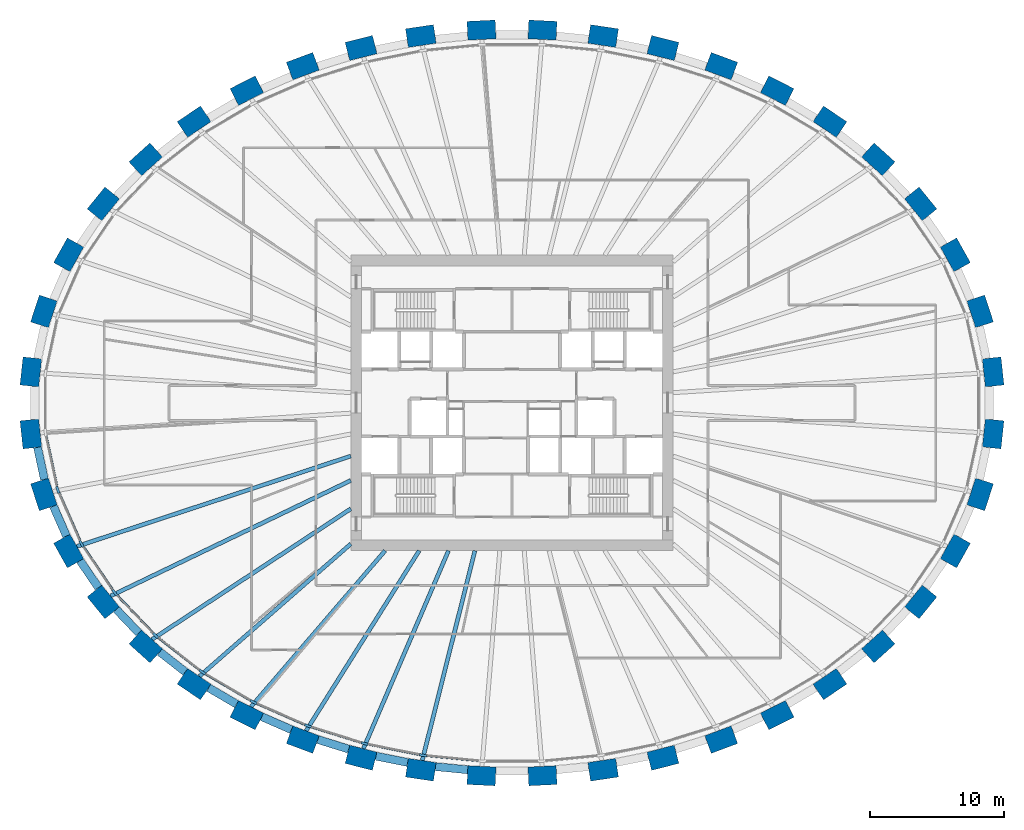
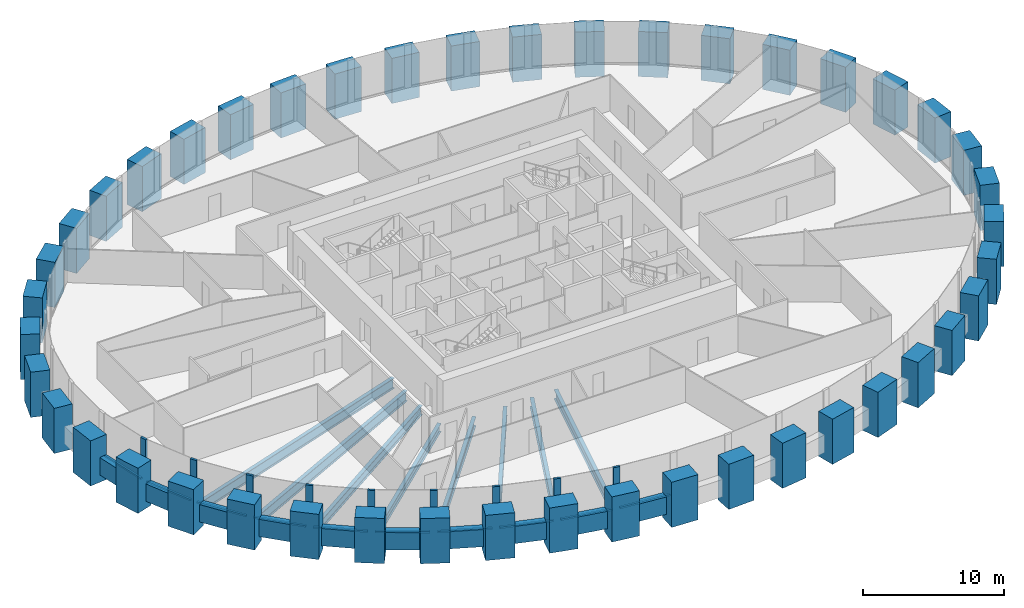
# One storey, part 1 of 11: 44 columns, 19 members, 18 beams, 1 element without a shape of its own.
"""IFC4 building model written with IfcOpenShell, lengths in metres."""

from ifc_helpers import new_model, si_unit, direction, frame, origin, origin_2d, place, context, subcontext, project, spatial, rectangle, i_section, extrude, source, transform, mapped, material, material_profile, profile_set, type_object, element, aggregate, save


model = new_model("IFC4")

# Units and contexts
model_context = context("Model", 3, precision=1e-05, world=origin(), true_north=direction((0.0, 1.0)))
body_context = subcontext(model_context, "Body", "Model", "MODEL_VIEW")
ifc_project = project(units=[si_unit("LENGTHUNIT", "METRE"), si_unit("AREAUNIT", "SQUARE_METRE"), si_unit("VOLUMEUNIT", "CUBIC_METRE"), si_unit("PLANEANGLEUNIT", "RADIAN"), si_unit("MASSUNIT", "GRAM", prefix="KILO")], contexts=[model_context])

# Site, building, storey
site_placement = place(None, origin())
site = spatial("IfcSite", under=ifc_project, at=site_placement, CompositionType="ELEMENT")
building_placement = place(site_placement, origin())
building = spatial("IfcBuilding", under=site, at=building_placement, Name="Embergate Tower", CompositionType="ELEMENT")
storey_placement = place(building_placement, frame((0.0, 0.0, 203.39990234375)))
storey = spatial("IfcBuildingStorey", under=building, at=storey_placement, Name="L46", CompositionType="ELEMENT", Elevation=203.39990234375)

# Columns
ifc_material_1 = material(Name="Concrete C60", Category="concrete")
ifc_material_profile_1 = material_profile(ifc_material_1, rectangle(XDim=1.39990234375, YDim=2.10009765625, at=origin_2d()), Name="RC 1400x2100")
ifc_profile_set_1 = profile_set([ifc_material_profile_1], Name="Concrete C60")
column_type = type_object("IfcColumnType", Name="Ring column RC 1400x2100 C60", PredefinedType="COLUMN", material=ifc_profile_set_1)
shared_shape_1 = source(origin(), body_context, "Body", "SweptSolid", [
    extrude(rectangle(XDim=1.39990234375, YDim=2.10009765625, at=origin_2d()), origin(), (0.0, 0.0, 1.0), 3.89990234375),
])
for number, where, z_axis, x_axis, name in (
    (1, (35.818115234375, 2.305908203125, -1.39990234375), (0.0, 0.0, 1.0), (0.994287757967, 0.106732630237, 0.0), "COL-L46-00"),
    (2, (34.84912109375, 6.81103515625, -1.39990234375), (0.0, 0.0, 1.0), (0.950754033697, 0.309946394413, 0.0), "COL-L46-01"),
    (3, (33.001953125, 11.02294921875, -1.39990234375), (0.0, 0.0, 1.0), (0.873500465855, 0.486823311018, 0.0), "COL-L46-02"),
    (4, (30.423095703125, 14.81591796875, -1.39990234375), (0.0, 0.0, 1.0), (0.775925311702, 0.630824786022, 0.0), "COL-L46-03"),
    (5, (27.26611328125, 18.126953125, -1.39990234375), (0.0, 0.0, 1.0), (0.669221393633, 0.743063070206, 0.0), "COL-L46-04"),
    (6, (23.66796875, 20.93603515625, -1.39990234375), (0.0, 0.0, 1.0), (0.560407734638, 0.828216862275, 0.0), "COL-L46-05"),
    (7, (19.741943359375, 23.243896484375, -1.39990234375), (0.0, 0.0, 1.0), (0.453010512651, 0.891505174089, 0.0), "COL-L46-06"),
    (8, (15.573974609375, 25.06689453125, -1.39990234375), (0.0, 0.0, 1.0), (0.348359375814, 0.937361053854, 0.0), "COL-L46-07"),
    (9, (11.236083984375, 26.41796875, -1.39990234375), (0.0, 0.0, 1.0), (0.24650851817, 0.969140624713, 0.0), "COL-L46-08"),
    (10, (6.784912109375, 27.31103515625, -1.39990234375), (0.0, 0.0, 1.0), (0.146929011949, 0.989147039346, 0.0), "COL-L46-09"),
    (11, (2.26904296875, 27.7548828125, -1.39990234375), (0.0, 0.0, 1.0), (0.048814904854, 0.998807841912, 0.0), "COL-L46-10"),
    (12, (-2.26904296875, 27.7548828125, -1.39990234375), (0.0, 0.0, 1.0), (-0.048814904854, 0.998807841912, 0.0), "COL-L46-11"),
    (13, (-6.784912109375, 27.31103515625, -1.39990234375), (0.0, 0.0, 1.0), (-0.146929011949, 0.989147039346, 0.0), "COL-L46-12"),
    (14, (-11.236083984375, 26.41796875, -1.39990234375), (0.0, 0.0, 1.0), (-0.24650851817, 0.969140624713, 0.0), "COL-L46-13"),
    (15, (-15.573974609375, 25.06689453125, -1.39990234375), (0.0, 0.0, 1.0), (-0.348359375814, 0.937361053854, 0.0), "COL-L46-14"),
    (16, (-19.741943359375, 23.243896484375, -1.39990234375), (0.0, 0.0, 1.0), (-0.453010512651, 0.891505174089, 0.0), "COL-L46-15"),
    (17, (-23.66796875, 20.93603515625, -1.39990234375), (0.0, 0.0, 1.0), (-0.560407734638, 0.828216862275, 0.0), "COL-L46-16"),
    (18, (-27.26611328125, 18.126953125, -1.39990234375), (0.0, 0.0, 1.0), (-0.669221393633, 0.743063070206, 0.0), "COL-L46-17"),
    (19, (-30.423095703125, 14.81591796875, -1.39990234375), (0.0, 0.0, 1.0), (-0.775925311702, 0.630824786022, 0.0), "COL-L46-18"),
    (20, (-33.001953125, 11.02294921875, -1.39990234375), (0.0, 0.0, 1.0), (-0.873500465855, 0.486823311018, 0.0), "COL-L46-19"),
    (21, (-34.84912109375, 6.81103515625, -1.39990234375), (0.0, 0.0, 1.0), (-0.950754033697, 0.309946394413, 0.0), "COL-L46-20"),
    (22, (-35.818115234375, 2.305908203125, -1.39990234375), (0.0, 0.0, 1.0), (-0.994287757967, 0.106732630237, 0.0), "COL-L46-21"),
    (23, (-35.818115234375, -2.305908203125, -1.39990234375), (0.0, 0.0, 1.0), (-0.994287757967, -0.106732630237, 0.0), "COL-L46-22"),
    (24, (-34.84912109375, -6.81103515625, -1.39990234375), (0.0, 0.0, 1.0), (-0.950754033697, -0.309946394413, 0.0), "COL-L46-23"),
    (25, (-33.001953125, -11.02294921875, -1.39990234375), (0.0, 0.0, 1.0), (-0.873500465855, -0.486823311018, 0.0), "COL-L46-24"),
    (26, (-30.423095703125, -14.81591796875, -1.39990234375), (0.0, 0.0, 1.0), (-0.775925311702, -0.630824786022, 0.0), "COL-L46-25"),
    (27, (-27.26611328125, -18.126953125, -1.39990234375), (0.0, 0.0, 1.0), (-0.669221393633, -0.743063070206, 0.0), "COL-L46-26"),
    (28, (-23.66796875, -20.93603515625, -1.39990234375), (0.0, 0.0, 1.0), (-0.560407734638, -0.828216862275, 0.0), "COL-L46-27"),
    (29, (-19.741943359375, -23.243896484375, -1.39990234375), (0.0, 0.0, 1.0), (-0.453010512651, -0.891505174089, 0.0), "COL-L46-28"),
    (30, (-15.573974609375, -25.06689453125, -1.39990234375), (0.0, 0.0, 1.0), (-0.348359375814, -0.937361053854, 0.0), "COL-L46-29"),
    (31, (-11.236083984375, -26.41796875, -1.39990234375), (0.0, 0.0, 1.0), (-0.24650851817, -0.969140624713, 0.0), "COL-L46-30"),
    (32, (-6.784912109375, -27.31103515625, -1.39990234375), (0.0, 0.0, 1.0), (-0.146929011949, -0.989147039346, 0.0), "COL-L46-31"),
    (33, (-2.26904296875, -27.7548828125, -1.39990234375), (0.0, 0.0, 1.0), (-0.048814904854, -0.998807841912, 0.0), "COL-L46-32"),
    (34, (2.26904296875, -27.7548828125, -1.39990234375), (0.0, 0.0, 1.0), (0.048814904854, -0.998807841912, 0.0), "COL-L46-33"),
    (35, (6.784912109375, -27.31103515625, -1.39990234375), (0.0, 0.0, 1.0), (0.146929011949, -0.989147039346, 0.0), "COL-L46-34"),
    (36, (11.236083984375, -26.41796875, -1.39990234375), (0.0, 0.0, 1.0), (0.24650851817, -0.969140624713, 0.0), "COL-L46-35"),
    (37, (15.573974609375, -25.06689453125, -1.39990234375), (0.0, 0.0, 1.0), (0.348359375814, -0.937361053854, 0.0), "COL-L46-36"),
    (38, (19.741943359375, -23.243896484375, -1.39990234375), (0.0, 0.0, 1.0), (0.453010512651, -0.891505174089, 0.0), "COL-L46-37"),
    (39, (23.66796875, -20.93603515625, -1.39990234375), (0.0, 0.0, 1.0), (0.560407734638, -0.828216862275, 0.0), "COL-L46-38"),
    (40, (27.26611328125, -18.126953125, -1.39990234375), (0.0, 0.0, 1.0), (0.669221393633, -0.743063070206, 0.0), "COL-L46-39"),
    (41, (30.423095703125, -14.81591796875, -1.39990234375), (0.0, 0.0, 1.0), (0.775925311702, -0.630824786022, 0.0), "COL-L46-40"),
    (42, (33.001953125, -11.02294921875, -1.39990234375), (0.0, 0.0, 1.0), (0.873500465855, -0.486823311018, 0.0), "COL-L46-41"),
    (43, (34.84912109375, -6.81103515625, -1.39990234375), (0.0, 0.0, 1.0), (0.950754033697, -0.309946394413, 0.0), "COL-L46-42"),
    (44, (35.818115234375, -2.305908203125, -1.39990234375), (0.0, 0.0, 1.0), (0.994287757967, -0.106732630237, 0.0), "COL-L46-43"),
):
    element("IfcColumn", number, at=place(storey_placement, frame(where, z_axis=z_axis, x_axis=x_axis)), inside=storey, type_object=column_type, Name=name, PredefinedType="COLUMN", context=body_context, shape_type="MappedRepresentation", body=[
        mapped(shared_shape_1, transform((0.0, 0.0, 0.0))),
    ])

# Beams
ifc_material_profile_2 = material_profile(ifc_material_1, rectangle(XDim=0.60009765625, YDim=1.5, at=origin_2d()), Name="RC 600x1500")
ifc_profile_set_2 = profile_set([ifc_material_profile_2], Name="Concrete C60")
beam_type_1 = type_object("IfcBeamType", Name="Spandrel beam RC 600x1500 C60", PredefinedType="BEAM", material=ifc_profile_set_2)
shared_shape_2 = source(origin(), body_context, "Body", "SweptSolid", [
    extrude(rectangle(XDim=0.60009765625, YDim=1.5, at=origin_2d()), origin(), (0.0, 0.0, 1.0), 2.438720703125),
])
beam_1_placement = place(storey_placement, frame((-35.320068359375, -3.30908203125, 0.0), z_axis=(0.210438320614, -0.977607136439, 0.0), x_axis=(0.977607136439, 0.210438320614, 0.0)))
element("IfcBeam", 45, at=beam_1_placement, inside=storey, type_object=beam_type_1, Name="SPN-L46-22", PredefinedType="BEAM", context=body_context, shape_type="MappedRepresentation", body=[
    mapped(shared_shape_2, transform((0.0, 0.0, 0.0))),
])
shared_shape_3 = source(origin(), body_context, "Body", "SweptSolid", [
    extrude(rectangle(XDim=0.60009765625, YDim=1.5, at=origin_2d()), origin(), (0.0, 0.0, 1.0), 2.431884765625),
])
beam_2_placement = place(storey_placement, frame((-34.14208984375, -7.68505859375, 0.0), z_axis=(0.401756025311, -0.915746742351, 0.0), x_axis=(0.915746742351, 0.401756025311, 0.0)))
element("IfcBeam", 46, at=beam_2_placement, inside=storey, type_object=beam_type_1, Name="SPN-L46-23", PredefinedType="BEAM", context=body_context, shape_type="MappedRepresentation", body=[
    mapped(shared_shape_3, transform((0.0, 0.0, 0.0))),
])
shared_shape_4 = source(origin(), body_context, "Body", "SweptSolid", [
    extrude(rectangle(XDim=0.60009765625, YDim=1.5, at=origin_2d()), origin(), (0.0, 0.0, 1.0), 2.42724609375),
])
beam_3_placement = place(storey_placement, frame((-32.14892578125, -11.7490234375, 0.0), z_axis=(0.562359541569, -0.826892826191, 0.0), x_axis=(0.826892826191, 0.562359541569, 0.0)))
element("IfcBeam", 47, at=beam_3_placement, inside=storey, type_object=beam_type_1, Name="SPN-L46-24", PredefinedType="BEAM", context=body_context, shape_type="MappedRepresentation", body=[
    mapped(shared_shape_4, transform((0.0, 0.0, 0.0))),
])
shared_shape_5 = source(origin(), body_context, "Body", "SweptSolid", [
    extrude(rectangle(XDim=0.60009765625, YDim=1.5, at=origin_2d()), origin(), (0.0, 0.0, 1.0), 2.419677734375),
])
beam_4_placement = place(storey_placement, frame((-29.448974609375, -15.376953125, 0.0), z_axis=(0.69015890768, -0.723657848813, 0.0), x_axis=(0.723657848813, 0.69015890768, 0.0)))
element("IfcBeam", 48, at=beam_4_placement, inside=storey, type_object=beam_type_1, Name="SPN-L46-25", PredefinedType="BEAM", context=body_context, shape_type="MappedRepresentation", body=[
    mapped(shared_shape_5, transform((0.0, 0.0, 0.0))),
])
shared_shape_6 = source(origin(), body_context, "Body", "SweptSolid", [
    extrude(rectangle(XDim=0.60009765625, YDim=1.5, at=origin_2d()), origin(), (0.0, 0.0, 1.0), 2.4150390625),
])
beam_5_placement = place(storey_placement, frame((-26.222900390625, -18.5380859375, 0.0), z_axis=(0.788327742651, -0.615255532415, 0.0), x_axis=(0.615255532415, 0.788327742651, 0.0)))
element("IfcBeam", 49, at=beam_5_placement, inside=storey, type_object=beam_type_1, Name="SPN-L46-26", PredefinedType="BEAM", context=body_context, shape_type="MappedRepresentation", body=[
    mapped(shared_shape_6, transform((0.0, 0.0, 0.0))),
])
shared_shape_7 = source(origin(), body_context, "Body", "SweptSolid", [
    extrude(rectangle(XDim=0.60009765625, YDim=1.5, at=origin_2d()), origin(), (0.0, 0.0, 1.0), 2.41015625),
])
beam_6_placement = place(storey_placement, frame((-22.58203125, -21.205078125, 0.0), z_axis=(0.862202298523, -0.506564108895, 0.0), x_axis=(0.506564108895, 0.862202298523, 0.0)))
element("IfcBeam", 50, at=beam_6_placement, inside=storey, type_object=beam_type_1, Name="SPN-L46-27", PredefinedType="BEAM", context=body_context, shape_type="MappedRepresentation", body=[
    mapped(shared_shape_7, transform((0.0, 0.0, 0.0))),
])
shared_shape_8 = source(origin(), body_context, "Body", "SweptSolid", [
    extrude(rectangle(XDim=0.60009765625, YDim=1.5, at=origin_2d()), origin(), (0.0, 0.0, 1.0), 2.407470703125),
])
beam_7_placement = place(storey_placement, frame((-18.625, -23.363037109375, 0.0), z_axis=(0.916352733651, -0.400371911515, 0.0), x_axis=(0.400371911515, 0.916352733651, 0.0)))
element("IfcBeam", 51, at=beam_7_placement, inside=storey, type_object=beam_type_1, Name="SPN-L46-28", PredefinedType="BEAM", context=body_context, shape_type="MappedRepresentation", body=[
    mapped(shared_shape_8, transform((0.0, 0.0, 0.0))),
])
shared_shape_9 = source(origin(), body_context, "Body", "SweptSolid", [
    extrude(rectangle(XDim=0.60009765625, YDim=1.5, at=origin_2d()), origin(), (0.0, 0.0, 1.0), 2.404541015625),
])
beam_8_placement = place(storey_placement, frame((-14.451904296875, -25.06103515625, 0.0), z_axis=(0.954790193156, -0.297280485491, 0.0), x_axis=(0.297280485491, 0.954790193156, 0.0)))
element("IfcBeam", 52, at=beam_8_placement, inside=storey, type_object=beam_type_1, Name="SPN-L46-29", PredefinedType="BEAM", context=body_context, shape_type="MappedRepresentation", body=[
    mapped(shared_shape_9, transform((0.0, 0.0, 0.0))),
])
shared_shape_10 = source(origin(), body_context, "Body", "SweptSolid", [
    extrude(rectangle(XDim=0.60009765625, YDim=1.5, at=origin_2d()), origin(), (0.0, 0.0, 1.0), 2.40185546875),
])
beam_9_placement = place(storey_placement, frame((-10.12109375, -26.2958984375, 0.0), z_axis=(0.980486735487, -0.196585252585, 0.0), x_axis=(0.196585252585, 0.980486735487, 0.0)))
element("IfcBeam", 53, at=beam_9_placement, inside=storey, type_object=beam_type_1, Name="SPN-L46-30", PredefinedType="BEAM", context=body_context, shape_type="MappedRepresentation", body=[
    mapped(shared_shape_10, transform((0.0, 0.0, 0.0))),
])
shared_shape_11 = source(origin(), body_context, "Body", "SweptSolid", [
    extrude(rectangle(XDim=0.60009765625, YDim=1.5, at=origin_2d()), origin(), (0.0, 0.0, 1.0), 2.4013671875),
])
beam_10_placement = place(storey_placement, frame((-5.68896484375, -27.077880859375, 0.0), z_axis=(0.995195949519, -0.097903125895, 0.0), x_axis=(0.097903125895, 0.995195949519, 0.0)))
element("IfcBeam", 54, at=beam_10_placement, inside=storey, type_object=beam_type_1, Name="SPN-L46-31", PredefinedType="BEAM", context=body_context, shape_type="MappedRepresentation", body=[
    mapped(shared_shape_11, transform((0.0, 0.0, 0.0))),
])
ifc_material_2 = material(Name="Steel Q355B", Category="steel")
ifc_material_profile_3 = material_profile(ifc_material_2, i_section(OverallWidth=0.300048828125, OverallDepth=0.89990234375, WebThickness=0.01611328125, FlangeThickness=0.028076171875, FilletRadius=0.028076171875, at=origin_2d()), Name="HN 900x300x16x28")
ifc_profile_set_3 = profile_set([ifc_material_profile_3], Name="Steel Q355 grade B")
beam_type_2 = type_object("IfcBeamType", Name="Radial girder HN 900x300x16x28", PredefinedType="BEAM", material=ifc_profile_set_3)
shared_shape_12 = source(origin(), body_context, "Body", "SweptSolid", [
    extrude(i_section(OverallWidth=0.300048828125, OverallDepth=0.89990234375, WebThickness=0.01611328125, FlangeThickness=0.028076171875, FilletRadius=0.028076171875, at=origin_2d()), origin(), (0.0, 0.0, 1.0), 21.47119140625),
])
beam_11_placement = place(storey_placement, frame((-32.39111328125, -10.681884765625, -0.64990234375), z_axis=(0.949700564112, 0.313159445849, 0.0), x_axis=(-0.313159445849, 0.949700564112, 0.0)))
element("IfcBeam", 55, at=beam_11_placement, inside=storey, type_object=beam_type_2, Name="GIR-L46-24", PredefinedType="BEAM", context=body_context, shape_type="MappedRepresentation", body=[
    mapped(shared_shape_12, transform((0.0, 0.0, 0.0))),
])
shared_shape_13 = source(origin(), body_context, "Body", "SweptSolid", [
    extrude(i_section(OverallWidth=0.300048828125, OverallDepth=0.89990234375, WebThickness=0.01611328125, FlangeThickness=0.028076171875, FilletRadius=0.028076171875, at=origin_2d()), origin(), (0.0, 0.0, 1.0), 19.841064453125),
])
beam_12_placement = place(storey_placement, frame((-29.8798828125, -14.3740234375, -0.64990234375), z_axis=(0.901154450988, 0.433498160854, 0.0), x_axis=(-0.433498160854, 0.901154450988, 0.0)))
element("IfcBeam", 56, at=beam_12_placement, inside=storey, type_object=beam_type_2, Name="GIR-L46-25", PredefinedType="BEAM", context=body_context, shape_type="MappedRepresentation", body=[
    mapped(shared_shape_13, transform((0.0, 0.0, 0.0))),
])
ifc_material_profile_4 = material_profile(ifc_material_2, i_section(OverallWidth=0.300048828125, OverallDepth=0.800048828125, WebThickness=0.013916015625, FlangeThickness=0.02587890625, FilletRadius=0.028076171875, at=origin_2d()), Name="HN 800x300x14x26")
ifc_profile_set_4 = profile_set([ifc_material_profile_4], Name="Steel Q355 grade B")
beam_type_3 = type_object("IfcBeamType", Name="Radial girder HN 800x300x14x26", PredefinedType="BEAM", material=ifc_profile_set_4)
shared_shape_14 = source(origin(), body_context, "Body", "SweptSolid", [
    extrude(i_section(OverallWidth=0.300048828125, OverallDepth=0.800048828125, WebThickness=0.013916015625, FlangeThickness=0.02587890625, FilletRadius=0.028076171875, at=origin_2d()), origin(), (0.0, 0.0, 1.0), 17.70654296875),
])
beam_13_placement = place(storey_placement, frame((-26.798095703125, -17.60693359375, -0.599853515625), z_axis=(0.835745977406, 0.549116254767, 0.0), x_axis=(-0.549116254767, 0.835745977406, 0.0)))
element("IfcBeam", 57, at=beam_13_placement, inside=storey, type_object=beam_type_3, Name="GIR-L46-26", PredefinedType="BEAM", context=body_context, shape_type="MappedRepresentation", body=[
    mapped(shared_shape_14, transform((0.0, 0.0, 0.0))),
])
ifc_material_profile_5 = material_profile(ifc_material_2, i_section(OverallWidth=0.300048828125, OverallDepth=0.699951171875, WebThickness=0.012939453125, FlangeThickness=0.02392578125, FilletRadius=0.01806640625, at=origin_2d()), Name="HN 700x300x13x24")
ifc_profile_set_5 = profile_set([ifc_material_profile_5], Name="Steel Q355 grade B")
beam_type_4 = type_object("IfcBeamType", Name="Radial girder HN 700x300x13x24", PredefinedType="BEAM", material=ifc_profile_set_5)
shared_shape_15 = source(origin(), body_context, "Body", "SweptSolid", [
    extrude(i_section(OverallWidth=0.300048828125, OverallDepth=0.699951171875, WebThickness=0.012939453125, FlangeThickness=0.02392578125, FilletRadius=0.01806640625, at=origin_2d()), origin(), (0.0, 0.0, 1.0), 14.9794921875),
])
beam_14_placement = place(storey_placement, frame((-23.27587890625, -20.35595703125, -0.5498046875), z_axis=(0.752760419663, 0.658294577365, 0.0), x_axis=(-0.658294577365, 0.752760419663, 0.0)))
element("IfcBeam", 58, at=beam_14_placement, inside=storey, type_object=beam_type_4, Name="GIR-L46-27", PredefinedType="BEAM", context=body_context, shape_type="MappedRepresentation", body=[
    mapped(shared_shape_15, transform((0.0, 0.0, 0.0))),
])
shared_shape_16 = source(origin(), body_context, "Body", "SweptSolid", [
    extrude(i_section(OverallWidth=0.300048828125, OverallDepth=0.800048828125, WebThickness=0.013916015625, FlangeThickness=0.02587890625, FilletRadius=0.028076171875, at=origin_2d()), origin(), (0.0, 0.0, 1.0), 15.31689453125),
])
beam_15_placement = place(storey_placement, frame((-19.425048828125, -22.6201171875, -0.599853515625), z_axis=(0.651502542644, 0.758646450548, 0.0), x_axis=(-0.758646450548, 0.651502542644, 0.0)))
element("IfcBeam", 59, at=beam_15_placement, inside=storey, type_object=beam_type_3, Name="GIR-L46-28", PredefinedType="BEAM", context=body_context, shape_type="MappedRepresentation", body=[
    mapped(shared_shape_16, transform((0.0, 0.0, 0.0))),
])
shared_shape_17 = source(origin(), body_context, "Body", "SweptSolid", [
    extrude(i_section(OverallWidth=0.300048828125, OverallDepth=0.800048828125, WebThickness=0.013916015625, FlangeThickness=0.02587890625, FilletRadius=0.028076171875, at=origin_2d()), origin(), (0.0, 0.0, 1.0), 15.836181640625),
])
beam_16_placement = place(storey_placement, frame((-15.330078125, -24.410888671875, -0.599853515625), z_axis=(0.531828302788, 0.846852204552, 0.0), x_axis=(-0.846852204552, 0.531828302788, 0.0)))
element("IfcBeam", 60, at=beam_16_placement, inside=storey, type_object=beam_type_3, Name="GIR-L46-29", PredefinedType="BEAM", context=body_context, shape_type="MappedRepresentation", body=[
    mapped(shared_shape_17, transform((0.0, 0.0, 0.0))),
])
shared_shape_18 = source(origin(), body_context, "Body", "SweptSolid", [
    extrude(i_section(OverallWidth=0.300048828125, OverallDepth=0.800048828125, WebThickness=0.013916015625, FlangeThickness=0.02587890625, FilletRadius=0.028076171875, at=origin_2d()), origin(), (0.0, 0.0, 1.0), 16.043701171875),
])
beam_17_placement = place(storey_placement, frame((-11.06298828125, -25.739990234375, -0.599853515625), z_axis=(0.394857578675, 0.918742342859, 0.0), x_axis=(-0.918742342859, 0.394857578675, 0.0)))
element("IfcBeam", 61, at=beam_17_placement, inside=storey, type_object=beam_type_3, Name="GIR-L46-30", PredefinedType="BEAM", context=body_context, shape_type="MappedRepresentation", body=[
    mapped(shared_shape_18, transform((0.0, 0.0, 0.0))),
])
shared_shape_19 = source(origin(), body_context, "Body", "SweptSolid", [
    extrude(i_section(OverallWidth=0.300048828125, OverallDepth=0.800048828125, WebThickness=0.013916015625, FlangeThickness=0.02587890625, FilletRadius=0.028076171875, at=origin_2d()), origin(), (0.0, 0.0, 1.0), 16.103515625),
])
beam_18_placement = place(storey_placement, frame((-6.681884765625, -26.618896484375, -0.599853515625), z_axis=(0.243480824062, 0.969905711043, 0.0), x_axis=(-0.969905711043, 0.243480824062, 0.0)))
element("IfcBeam", 62, at=beam_18_placement, inside=storey, type_object=beam_type_3, Name="GIR-L46-31", PredefinedType="BEAM", context=body_context, shape_type="MappedRepresentation", body=[
    mapped(shared_shape_19, transform((0.0, 0.0, 0.0))),
])

# Curtain wall, members
ifc_material_3 = material(Name="Aluminium and glass", Category="aluminium")
curtain_wall_type = type_object("IfcCurtainWallType", Name="Recessed office glazing", PredefinedType="NOTDEFINED", material=ifc_material_3)
curtain_wall_placement = place(storey_placement, origin())
curtain_wall = element("IfcCurtainWall", 63, at=curtain_wall_placement, inside=storey, type_object=curtain_wall_type, Name="Recessed office glazing ring", ObjectType="RECESSED OFFICE GLAZING", PredefinedType="USERDEFINED")
ifc_material_4 = material(Name="Aluminium, thermally broken", Category="aluminium")
ifc_material_profile_6 = material_profile(ifc_material_4, rectangle(XDim=0.179931640625, YDim=0.52001953125, at=origin_2d()), Name="AL 520x180")
ifc_profile_set_6 = profile_set([ifc_material_profile_6], Name="Aluminium, thermally broken")
member_type_1 = type_object("IfcMemberType", Name="Office mullion", PredefinedType="MULLION", material=ifc_profile_set_6)
shared_shape_20 = source(origin(), body_context, "Body", "SweptSolid", [
    extrude(rectangle(XDim=0.179931640625, YDim=0.52001953125, at=origin_2d()), origin(), (0.0, 0.0, 1.0), 3.7001953125),
])
member_1_placement = place(storey_placement, frame((-33.812744140625, -6.473388671875, 0.0), z_axis=(0.0, 0.0, 1.0), x_axis=(0.95149940886, 0.307650572791, 0.0)))
member_1 = element("IfcMember", 64, at=member_1_placement, type_object=member_type_1, Name="CW mullion 24", PredefinedType="MULLION", context=body_context, shape_type="MappedRepresentation", body=[
    mapped(shared_shape_20, transform((0.0, 0.0, 0.0))),
])
member_2_placement = place(storey_placement, frame((-32.050048828125, -10.492431640625, 0.0), z_axis=(0.0, 0.0, 1.0), x_axis=(0.875006120538, 0.484111855898, 0.0)))
member_2 = element("IfcMember", 65, at=member_2_placement, type_object=member_type_1, Name="CW mullion 25", PredefinedType="MULLION", context=body_context, shape_type="MappedRepresentation", body=[
    mapped(shared_shape_20, transform((0.0, 0.0, 0.0))),
])
member_3_placement = place(storey_placement, frame((-29.577392578125, -14.128662109375, 0.0), z_axis=(0.0, 0.0, 1.0), x_axis=(0.777879145133, 0.628413904658, 0.0)))
member_3 = element("IfcMember", 66, at=member_3_placement, type_object=member_type_1, Name="CW mullion 26", PredefinedType="MULLION", context=body_context, shape_type="MappedRepresentation", body=[
    mapped(shared_shape_20, transform((0.0, 0.0, 0.0))),
])
member_4_placement = place(storey_placement, frame((-26.53662109375, -17.3173828125, 0.0), z_axis=(0.0, 0.0, 1.0), x_axis=(0.671235590011, 0.741244077684, 0.0)))
member_4 = element("IfcMember", 67, at=member_4_placement, type_object=member_type_1, Name="CW mullion 27", PredefinedType="MULLION", context=body_context, shape_type="MappedRepresentation", body=[
    mapped(shared_shape_20, transform((0.0, 0.0, 0.0))),
])
member_5_placement = place(storey_placement, frame((-23.057373046875, -20.03271484375, 0.0), z_axis=(0.0, 0.0, 1.0), x_axis=(0.562226278725, 0.826983440893, 0.0)))
member_5 = element("IfcMember", 68, at=member_5_placement, type_object=member_type_1, Name="CW mullion 28", PredefinedType="MULLION", context=body_context, shape_type="MappedRepresentation", body=[
    mapped(shared_shape_20, transform((0.0, 0.0, 0.0))),
])
member_6_placement = place(storey_placement, frame((-19.247802734375, -22.272705078125, 0.0), z_axis=(0.0, 0.0, 1.0), x_axis=(0.454520708319, 0.890736170653, 0.0)))
member_6 = element("IfcMember", 69, at=member_6_placement, type_object=member_type_1, Name="CW mullion 29", PredefinedType="MULLION", context=body_context, shape_type="MappedRepresentation", body=[
    mapped(shared_shape_20, transform((0.0, 0.0, 0.0))),
])
member_7_placement = place(storey_placement, frame((-15.194580078125, -24.045166015625, 0.0), z_axis=(0.0, 0.0, 1.0), x_axis=(0.349510859141, 0.936932313106, 0.0)))
member_7 = element("IfcMember", 70, at=member_7_placement, type_object=member_type_1, Name="CW mullion 30", PredefinedType="MULLION", context=body_context, shape_type="MappedRepresentation", body=[
    mapped(shared_shape_20, transform((0.0, 0.0, 0.0))),
])
member_8_placement = place(storey_placement, frame((-10.967529296875, -25.361572265625, 0.0), z_axis=(0.0, 0.0, 1.0), x_axis=(0.247318645812, 0.968934201808, 0.0)))
member_8 = element("IfcMember", 71, at=member_8_placement, type_object=member_type_1, Name="CW mullion 31", PredefinedType="MULLION", context=body_context, shape_type="MappedRepresentation", body=[
    mapped(shared_shape_20, transform((0.0, 0.0, 0.0))),
])
member_9_placement = place(storey_placement, frame((-6.624755859375, -26.232421875, 0.0), z_axis=(0.0, 0.0, 1.0), x_axis=(0.147415835341, 0.989074603602, 0.0)))
member_9 = element("IfcMember", 72, at=member_9_placement, type_object=member_type_1, Name="CW mullion 32", PredefinedType="MULLION", context=body_context, shape_type="MappedRepresentation", body=[
    mapped(shared_shape_20, transform((0.0, 0.0, 0.0))),
])
ifc_material_profile_7 = material_profile(ifc_material_4, rectangle(XDim=0.179931640625, YDim=0.14990234375, at=origin_2d()), Name="AL 150x180")
ifc_profile_set_7 = profile_set([ifc_material_profile_7], Name="Aluminium, thermally broken")
member_type_2 = type_object("IfcMemberType", Name="Office sill transom", PredefinedType="USERDEFINED", material=ifc_profile_set_7)
shared_shape_21 = source(origin(), body_context, "Body", "SweptSolid", [
    extrude(rectangle(XDim=0.179931640625, YDim=0.14990234375, at=origin_2d()), origin(), (0.0, 0.0, 1.0), 3.861572265625),
])
member_10_placement = place(storey_placement, frame((-34.679931640625, -2.44384765625, 0.0751953125), z_axis=(0.210405488485, -0.97761420326, 0.0), x_axis=(0.97761420326, 0.210405488485, 0.0)))
member_10 = element("IfcMember", 73, at=member_10_placement, type_object=member_type_2, Name="CW transom 23.1", ObjectType="TRANSOM", PredefinedType="USERDEFINED", context=body_context, shape_type="MappedRepresentation", body=[
    mapped(shared_shape_21, transform((0.0, 0.0, 0.0))),
])
shared_shape_22 = source(origin(), body_context, "Body", "SweptSolid", [
    extrude(rectangle(XDim=0.179931640625, YDim=0.14990234375, at=origin_2d()), origin(), (0.0, 0.0, 1.0), 3.86865234375),
])
member_11_placement = place(storey_placement, frame((-33.708251953125, -6.71142578125, 0.0751953125), z_axis=(0.401613211287, -0.915809384381, 0.0), x_axis=(0.915809384381, 0.401613211287, 0.0)))
member_11 = element("IfcMember", 74, at=member_11_placement, type_object=member_type_2, Name="CW transom 24.1", ObjectType="TRANSOM", PredefinedType="USERDEFINED", context=body_context, shape_type="MappedRepresentation", body=[
    mapped(shared_shape_22, transform((0.0, 0.0, 0.0))),
])
shared_shape_23 = source(origin(), body_context, "Body", "SweptSolid", [
    extrude(rectangle(XDim=0.179931640625, YDim=0.14990234375, at=origin_2d()), origin(), (0.0, 0.0, 1.0), 3.87744140625),
])
member_12_placement = place(storey_placement, frame((-31.90380859375, -10.70751953125, 0.0751953125), z_axis=(0.562334132223, -0.826910106201, 0.0), x_axis=(0.826910106201, 0.562334132223, 0.0)))
member_12 = element("IfcMember", 75, at=member_12_placement, type_object=member_type_2, Name="CW transom 25.1", ObjectType="TRANSOM", PredefinedType="USERDEFINED", context=body_context, shape_type="MappedRepresentation", body=[
    mapped(shared_shape_23, transform((0.0, 0.0, 0.0))),
])
shared_shape_24 = source(origin(), body_context, "Body", "SweptSolid", [
    extrude(rectangle(XDim=0.179931640625, YDim=0.14990234375, at=origin_2d()), origin(), (0.0, 0.0, 1.0), 3.885986328125),
])
member_13_placement = place(storey_placement, frame((-29.397705078125, -14.31689453125, 0.0751953125), z_axis=(0.690100588862, -0.723713463501, 0.0), x_axis=(0.723713463501, 0.690100588862, 0.0)))
member_13 = element("IfcMember", 76, at=member_13_placement, type_object=member_type_2, Name="CW transom 26.1", ObjectType="TRANSOM", PredefinedType="USERDEFINED", context=body_context, shape_type="MappedRepresentation", body=[
    mapped(shared_shape_24, transform((0.0, 0.0, 0.0))),
])
shared_shape_25 = source(origin(), body_context, "Body", "SweptSolid", [
    extrude(rectangle(XDim=0.179931640625, YDim=0.14990234375, at=origin_2d()), origin(), (0.0, 0.0, 1.0), 3.893310546875),
])
member_14_placement = place(storey_placement, frame((-26.33154296875, -17.477294921875, 0.0751953125), z_axis=(0.788300946637, -0.615289864641, 0.0), x_axis=(0.615289864641, 0.788300946637, 0.0)))
member_14 = element("IfcMember", 77, at=member_14_placement, type_object=member_type_2, Name="CW transom 27.1", ObjectType="TRANSOM", PredefinedType="USERDEFINED", context=body_context, shape_type="MappedRepresentation", body=[
    mapped(shared_shape_25, transform((0.0, 0.0, 0.0))),
])
shared_shape_26 = source(origin(), body_context, "Body", "SweptSolid", [
    extrude(rectangle(XDim=0.179931640625, YDim=0.14990234375, at=origin_2d()), origin(), (0.0, 0.0, 1.0), 3.899169921875),
])
member_15_placement = place(storey_placement, frame((-22.833251953125, -20.16455078125, 0.0751953125), z_axis=(0.862038818014, -0.50684225972, 0.0), x_axis=(0.50684225972, 0.862038818014, 0.0)))
member_15 = element("IfcMember", 78, at=member_15_placement, type_object=member_type_2, Name="CW transom 28.1", ObjectType="TRANSOM", PredefinedType="USERDEFINED", context=body_context, shape_type="MappedRepresentation", body=[
    mapped(shared_shape_26, transform((0.0, 0.0, 0.0))),
])
shared_shape_27 = source(origin(), body_context, "Body", "SweptSolid", [
    extrude(rectangle(XDim=0.179931640625, YDim=0.14990234375, at=origin_2d()), origin(), (0.0, 0.0, 1.0), 3.904052734375),
])
member_16_placement = place(storey_placement, frame((-19.009521484375, -22.376708984375, 0.0751953125), z_axis=(0.91622190986, -0.400671201725, 0.0), x_axis=(0.400671201725, 0.91622190986, 0.0)))
member_16 = element("IfcMember", 79, at=member_16_placement, type_object=member_type_2, Name="CW transom 29.1", ObjectType="TRANSOM", PredefinedType="USERDEFINED", context=body_context, shape_type="MappedRepresentation", body=[
    mapped(shared_shape_27, transform((0.0, 0.0, 0.0))),
])
shared_shape_28 = source(origin(), body_context, "Body", "SweptSolid", [
    extrude(rectangle(XDim=0.179931640625, YDim=0.14990234375, at=origin_2d()), origin(), (0.0, 0.0, 1.0), 3.9072265625),
])
member_17_placement = place(storey_placement, frame((-14.9462890625, -24.122314453125, 0.0751953125), z_axis=(0.954764170674, -0.297364050277, 0.0), x_axis=(0.297364050277, 0.954764170674, 0.0)))
member_17 = element("IfcMember", 80, at=member_17_placement, type_object=member_type_2, Name="CW transom 30.1", ObjectType="TRANSOM", PredefinedType="USERDEFINED", context=body_context, shape_type="MappedRepresentation", body=[
    mapped(shared_shape_28, transform((0.0, 0.0, 0.0))),
])
shared_shape_29 = source(origin(), body_context, "Body", "SweptSolid", [
    extrude(rectangle(XDim=0.179931640625, YDim=0.14990234375, at=origin_2d()), origin(), (0.0, 0.0, 1.0), 3.909423828125),
])
member_18_placement = place(storey_placement, frame((-10.712646484375, -25.41259765625, 0.0751953125), z_axis=(0.980472439404, -0.196656542145, 0.0), x_axis=(0.196656542145, 0.980472439404, 0.0)))
member_18 = element("IfcMember", 81, at=member_18_placement, type_object=member_type_2, Name="CW transom 31.1", ObjectType="TRANSOM", PredefinedType="USERDEFINED", context=body_context, shape_type="MappedRepresentation", body=[
    mapped(shared_shape_29, transform((0.0, 0.0, 0.0))),
])
shared_shape_30 = source(origin(), body_context, "Body", "SweptSolid", [
    extrude(rectangle(XDim=0.179931640625, YDim=0.14990234375, at=origin_2d()), origin(), (0.0, 0.0, 1.0), 3.91064453125),
])
member_19_placement = place(storey_placement, frame((-6.365966796875, -26.2578125, 0.0751953125), z_axis=(0.995203291529, -0.097828464828, 0.0), x_axis=(0.097828464828, 0.995203291529, 0.0)))
member_19 = element("IfcMember", 82, at=member_19_placement, type_object=member_type_2, Name="CW transom 32.1", ObjectType="TRANSOM", PredefinedType="USERDEFINED", context=body_context, shape_type="MappedRepresentation", body=[
    mapped(shared_shape_30, transform((0.0, 0.0, 0.0))),
])
aggregate(curtain_wall, [member_1, member_2, member_3, member_4, member_5, member_6, member_7, member_8, member_9, member_10, member_11, member_12, member_13, member_14, member_15, member_16, member_17, member_18, member_19])

save(model, "model.ifc")
